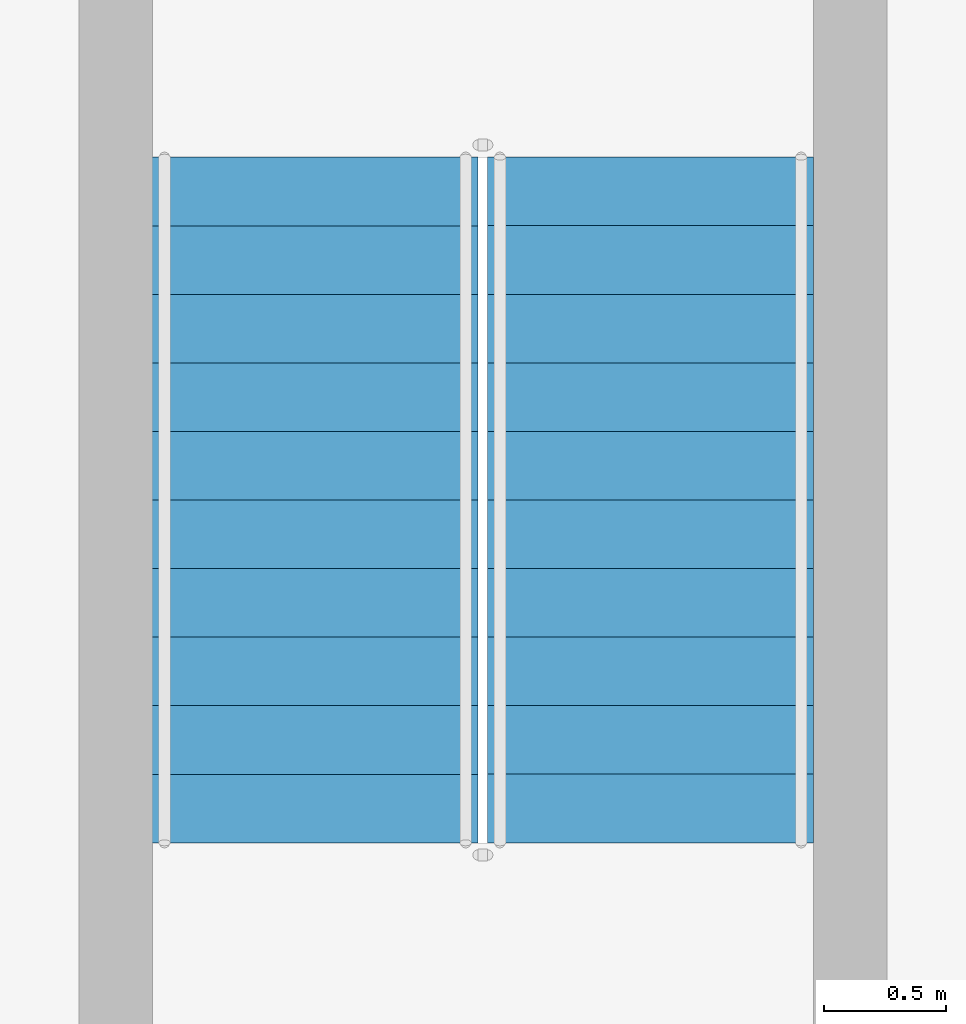
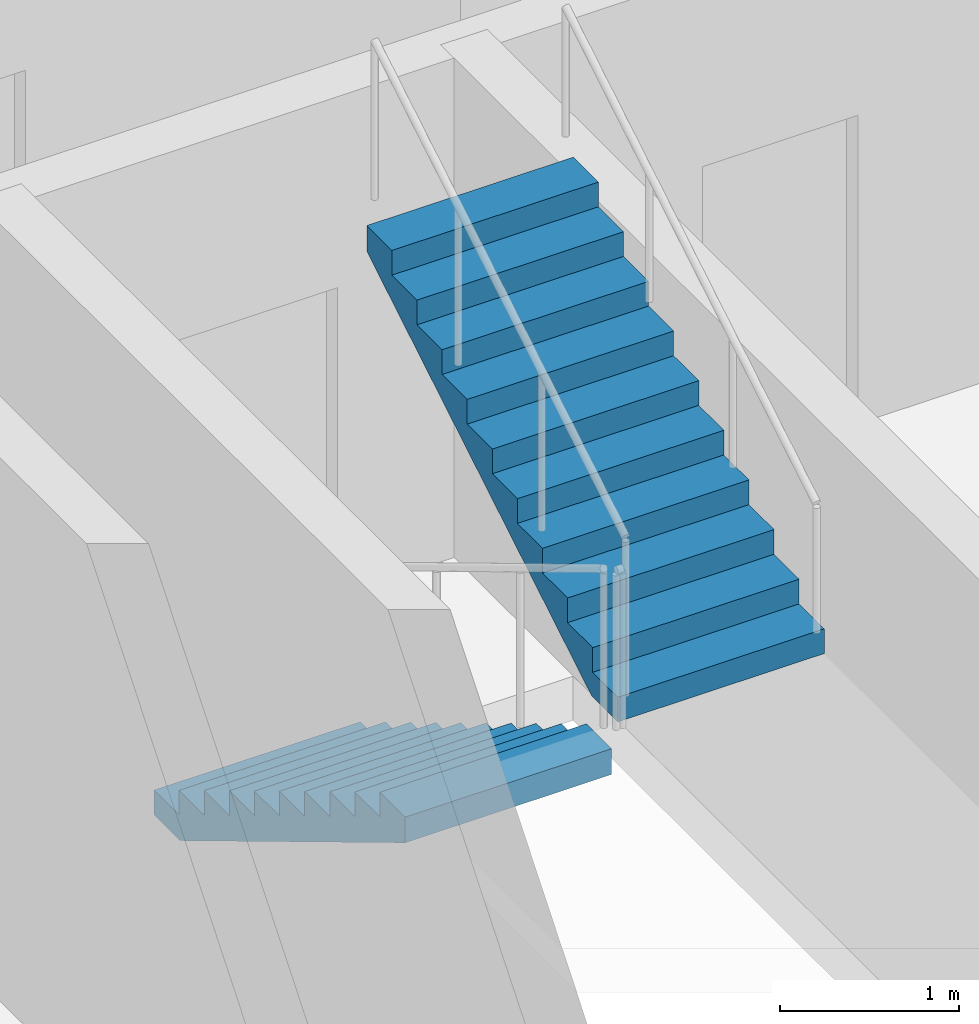
# One storey, part 27 of 35: 2 stair flights, 1 element without a shape of its own.
"""IFC4 building model written with IfcOpenShell, lengths in metres."""

from ifc_helpers import new_model, si_unit, direction, frame, origin, place, context, subcontext, project, spatial, triangles, source, transform, mapped, material, type_object, element, aggregate, save


model = new_model("IFC4")

# Units and contexts
model_context = context("Model", 3, precision=1e-05, world=origin(), true_north=direction((0.0, 1.0)))
body_context = subcontext(model_context, "Body", "Model", "MODEL_VIEW")
ifc_project = project(units=[si_unit("LENGTHUNIT", "METRE"), si_unit("AREAUNIT", "SQUARE_METRE"), si_unit("VOLUMEUNIT", "CUBIC_METRE"), si_unit("PLANEANGLEUNIT", "RADIAN"), si_unit("MASSUNIT", "GRAM", prefix="KILO")], contexts=[model_context])

# Site, building, storey
site_placement = place(None, origin())
site = spatial("IfcSite", under=ifc_project, at=site_placement, CompositionType="ELEMENT")
building_placement = place(site_placement, origin())
building = spatial("IfcBuilding", under=site, at=building_placement, Name="Ogive Portal Towers", CompositionType="ELEMENT")
storey_placement = place(building_placement, frame((0.0, 0.0, 94.5)))
storey = spatial("IfcBuildingStorey", under=building, at=storey_placement, Name="L22", CompositionType="ELEMENT", Elevation=94.5)

# Stair, stair flights
ifc_material = material(Name="Concrete C40/50", Category="concrete")
stair_type = type_object("IfcStairType", Name="INT-STAIR", PredefinedType="HALF_TURN_STAIR", material=ifc_material)
stair_placement = place(storey_placement, origin())
stair = element("IfcStair", 1, at=stair_placement, inside=storey, type_object=stair_type, Name="L22 Exit Stair ST-A4", PredefinedType="HALF_TURN_STAIR")
stair_flight_type = type_object("IfcStairFlightType", Name="INT-FLIGHT", PredefinedType="STRAIGHT", material=ifc_material)
shared_shape = source(origin(), body_context, "Body", "Tessellation", [
    triangles([(0.0, -0.6650390625, 0.0), (0.0, -0.384765625, 0.0), (0.0, -0.197021484375, 0.0), (0.0, -0.0830078125, 0.0), (0.0, -0.024658203125, 0.0), (0.0, -0.003173828125, 0.0), (0.0, 0.0, 0.0), (0.0, 0.003173828125, 0.0), (0.0, 0.024658203125, 0.0), (0.0, 0.0830078125, 0.0), (0.0, 0.197021484375, 0.0), (0.0, 0.384765625, 0.0), (0.0, 0.6650390625, 0.0), (0.0, -0.6650390625, 0.168212890625), (0.0, -0.384765625, 0.168212890625), (0.0, -0.197021484375, 0.168212890625), (0.0, -0.0830078125, 0.168212890625), (0.0, -0.024658203125, 0.168212890625), (0.0, -0.003173828125, 0.168212890625), (0.0, 0.0, 0.168212890625), (0.0, 0.003173828125, 0.168212890625), (0.0, 0.024658203125, 0.168212890625), (0.0, 0.0830078125, 0.168212890625), (0.0, 0.197021484375, 0.168212890625), (0.0, 0.384765625, 0.168212890625), (0.0, 0.6650390625, 0.168212890625), (0.280029296875, -0.6650390625, 0.168212890625), (0.280029296875, -0.384765625, 0.168212890625), (0.280029296875, -0.197021484375, 0.168212890625), (0.280029296875, -0.0830078125, 0.168212890625), (0.280029296875, -0.024658203125, 0.168212890625), (0.280029296875, -0.003173828125, 0.168212890625), (0.280029296875, 0.0, 0.168212890625), (0.280029296875, 0.003173828125, 0.168212890625), (0.280029296875, 0.024658203125, 0.168212890625), (0.280029296875, 0.0830078125, 0.168212890625), (0.280029296875, 0.197021484375, 0.168212890625), (0.280029296875, 0.384765625, 0.168212890625), (0.280029296875, 0.6650390625, 0.168212890625), (0.280029296875, -0.6650390625, 0.33642578125), (0.280029296875, -0.384765625, 0.33642578125), (0.280029296875, -0.197021484375, 0.33642578125), (0.280029296875, -0.0830078125, 0.33642578125), (0.280029296875, -0.024658203125, 0.33642578125), (0.280029296875, -0.003173828125, 0.33642578125), (0.280029296875, 0.0, 0.33642578125), (0.280029296875, 0.003173828125, 0.33642578125), (0.280029296875, 0.024658203125, 0.33642578125), (0.280029296875, 0.0830078125, 0.33642578125), (0.280029296875, 0.197021484375, 0.33642578125), (0.280029296875, 0.384765625, 0.33642578125), (0.280029296875, 0.6650390625, 0.33642578125), (0.56005859375, -0.6650390625, 0.33642578125), (0.56005859375, -0.384765625, 0.33642578125), (0.56005859375, -0.197021484375, 0.33642578125), (0.56005859375, -0.0830078125, 0.33642578125), (0.56005859375, -0.024658203125, 0.33642578125), (0.56005859375, -0.003173828125, 0.33642578125), (0.56005859375, 0.0, 0.33642578125), (0.56005859375, 0.003173828125, 0.33642578125), (0.56005859375, 0.024658203125, 0.33642578125), (0.56005859375, 0.0830078125, 0.33642578125), (0.56005859375, 0.197021484375, 0.33642578125), (0.56005859375, 0.384765625, 0.33642578125), (0.56005859375, 0.6650390625, 0.33642578125), (0.56005859375, -0.6650390625, 0.504638671875), (0.56005859375, -0.384765625, 0.504638671875), (0.56005859375, -0.197021484375, 0.504638671875), (0.56005859375, -0.0830078125, 0.504638671875), (0.56005859375, -0.024658203125, 0.504638671875), (0.56005859375, -0.003173828125, 0.504638671875), (0.56005859375, 0.0, 0.504638671875), (0.56005859375, 0.003173828125, 0.504638671875), (0.56005859375, 0.024658203125, 0.504638671875), (0.56005859375, 0.0830078125, 0.504638671875), (0.56005859375, 0.197021484375, 0.504638671875), (0.56005859375, 0.384765625, 0.504638671875), (0.56005859375, 0.6650390625, 0.504638671875), (0.840087890625, -0.6650390625, 0.504638671875), (0.840087890625, -0.384765625, 0.504638671875), (0.840087890625, -0.197021484375, 0.504638671875), (0.840087890625, -0.0830078125, 0.504638671875), (0.840087890625, -0.024658203125, 0.504638671875), (0.840087890625, -0.003173828125, 0.504638671875), (0.840087890625, 0.0, 0.504638671875), (0.840087890625, 0.003173828125, 0.504638671875), (0.840087890625, 0.024658203125, 0.504638671875), (0.840087890625, 0.0830078125, 0.504638671875), (0.840087890625, 0.197021484375, 0.504638671875), (0.840087890625, 0.384765625, 0.504638671875), (0.840087890625, 0.6650390625, 0.504638671875), (0.840087890625, -0.6650390625, 0.672607421875), (0.840087890625, -0.384765625, 0.672607421875), (0.840087890625, -0.197021484375, 0.672607421875), (0.840087890625, -0.0830078125, 0.672607421875), (0.840087890625, -0.024658203125, 0.672607421875), (0.840087890625, -0.003173828125, 0.672607421875), (0.840087890625, 0.0, 0.672607421875), (0.840087890625, 0.003173828125, 0.672607421875), (0.840087890625, 0.024658203125, 0.672607421875), (0.840087890625, 0.0830078125, 0.672607421875), (0.840087890625, 0.197021484375, 0.672607421875), (0.840087890625, 0.384765625, 0.672607421875), (0.840087890625, 0.6650390625, 0.672607421875), (1.1201171875, -0.6650390625, 0.672607421875), (1.1201171875, -0.384765625, 0.672607421875), (1.1201171875, -0.197021484375, 0.672607421875), (1.1201171875, -0.0830078125, 0.672607421875), (1.1201171875, -0.024658203125, 0.672607421875), (1.1201171875, -0.003173828125, 0.672607421875), (1.1201171875, 0.0, 0.672607421875), (1.1201171875, 0.003173828125, 0.672607421875), (1.1201171875, 0.024658203125, 0.672607421875), (1.1201171875, 0.0830078125, 0.672607421875), (1.1201171875, 0.197021484375, 0.672607421875), (1.1201171875, 0.384765625, 0.672607421875), (1.1201171875, 0.6650390625, 0.672607421875), (1.1201171875, -0.6650390625, 0.8408203125), (1.1201171875, -0.384765625, 0.8408203125), (1.1201171875, -0.197021484375, 0.8408203125), (1.1201171875, -0.0830078125, 0.8408203125), (1.1201171875, -0.024658203125, 0.8408203125), (1.1201171875, -0.003173828125, 0.8408203125), (1.1201171875, 0.0, 0.8408203125), (1.1201171875, 0.003173828125, 0.8408203125), (1.1201171875, 0.024658203125, 0.8408203125), (1.1201171875, 0.0830078125, 0.8408203125), (1.1201171875, 0.197021484375, 0.8408203125), (1.1201171875, 0.384765625, 0.8408203125), (1.1201171875, 0.6650390625, 0.8408203125), (1.39990234375, -0.6650390625, 0.8408203125), (1.39990234375, -0.384765625, 0.8408203125), (1.39990234375, -0.197021484375, 0.8408203125), (1.39990234375, -0.0830078125, 0.8408203125), (1.39990234375, -0.024658203125, 0.8408203125), (1.39990234375, -0.003173828125, 0.8408203125), (1.39990234375, 0.0, 0.8408203125), (1.39990234375, 0.003173828125, 0.8408203125), (1.39990234375, 0.024658203125, 0.8408203125), (1.39990234375, 0.0830078125, 0.8408203125), (1.39990234375, 0.197021484375, 0.8408203125), (1.39990234375, 0.384765625, 0.8408203125), (1.39990234375, 0.6650390625, 0.8408203125), (1.39990234375, -0.6650390625, 1.009033203125), (1.39990234375, -0.384765625, 1.009033203125), (1.39990234375, -0.197021484375, 1.009033203125), (1.39990234375, -0.0830078125, 1.009033203125), (1.39990234375, -0.024658203125, 1.009033203125), (1.39990234375, -0.003173828125, 1.009033203125), (1.39990234375, 0.0, 1.009033203125), (1.39990234375, 0.003173828125, 1.009033203125), (1.39990234375, 0.024658203125, 1.009033203125), (1.39990234375, 0.0830078125, 1.009033203125), (1.39990234375, 0.197021484375, 1.009033203125), (1.39990234375, 0.384765625, 1.009033203125), (1.39990234375, 0.6650390625, 1.009033203125), (1.679931640625, -0.6650390625, 1.009033203125), (1.679931640625, -0.384765625, 1.009033203125), (1.679931640625, -0.197021484375, 1.009033203125), (1.679931640625, -0.0830078125, 1.009033203125), (1.679931640625, -0.024658203125, 1.009033203125), (1.679931640625, -0.003173828125, 1.009033203125), (1.679931640625, 0.0, 1.009033203125), (1.679931640625, 0.003173828125, 1.009033203125), (1.679931640625, 0.024658203125, 1.009033203125), (1.679931640625, 0.0830078125, 1.009033203125), (1.679931640625, 0.197021484375, 1.009033203125), (1.679931640625, 0.384765625, 1.009033203125), (1.679931640625, 0.6650390625, 1.009033203125), (1.679931640625, -0.6650390625, 1.17724609375), (1.679931640625, -0.384765625, 1.17724609375), (1.679931640625, -0.197021484375, 1.17724609375), (1.679931640625, -0.0830078125, 1.17724609375), (1.679931640625, -0.024658203125, 1.17724609375), (1.679931640625, -0.003173828125, 1.17724609375), (1.679931640625, 0.0, 1.17724609375), (1.679931640625, 0.003173828125, 1.17724609375), (1.679931640625, 0.024658203125, 1.17724609375), (1.679931640625, 0.0830078125, 1.17724609375), (1.679931640625, 0.197021484375, 1.17724609375), (1.679931640625, 0.384765625, 1.17724609375), (1.679931640625, 0.6650390625, 1.17724609375), (1.9599609375, -0.6650390625, 1.17724609375), (1.9599609375, -0.384765625, 1.17724609375), (1.9599609375, -0.197021484375, 1.17724609375), (1.9599609375, -0.0830078125, 1.17724609375), (1.9599609375, -0.024658203125, 1.17724609375), (1.9599609375, -0.003173828125, 1.17724609375), (1.9599609375, 0.0, 1.17724609375), (1.9599609375, 0.003173828125, 1.17724609375), (1.9599609375, 0.024658203125, 1.17724609375), (1.9599609375, 0.0830078125, 1.17724609375), (1.9599609375, 0.197021484375, 1.17724609375), (1.9599609375, 0.384765625, 1.17724609375), (1.9599609375, 0.6650390625, 1.17724609375), (1.9599609375, -0.6650390625, 1.345458984375), (1.9599609375, -0.384765625, 1.345458984375), (1.9599609375, -0.197021484375, 1.345458984375), (1.9599609375, -0.0830078125, 1.345458984375), (1.9599609375, -0.024658203125, 1.345458984375), (1.9599609375, -0.003173828125, 1.345458984375), (1.9599609375, 0.0, 1.345458984375), (1.9599609375, 0.003173828125, 1.345458984375), (1.9599609375, 0.024658203125, 1.345458984375), (1.9599609375, 0.0830078125, 1.345458984375), (1.9599609375, 0.197021484375, 1.345458984375), (1.9599609375, 0.384765625, 1.345458984375), (1.9599609375, 0.6650390625, 1.345458984375), (2.239990234375, -0.6650390625, 1.345458984375), (2.239990234375, -0.384765625, 1.345458984375), (2.239990234375, -0.197021484375, 1.345458984375), (2.239990234375, -0.0830078125, 1.345458984375), (2.239990234375, -0.024658203125, 1.345458984375), (2.239990234375, -0.003173828125, 1.345458984375), (2.239990234375, 0.0, 1.345458984375), (2.239990234375, 0.003173828125, 1.345458984375), (2.239990234375, 0.024658203125, 1.345458984375), (2.239990234375, 0.0830078125, 1.345458984375), (2.239990234375, 0.197021484375, 1.345458984375), (2.239990234375, 0.384765625, 1.345458984375), (2.239990234375, 0.6650390625, 1.345458984375), (2.239990234375, -0.6650390625, 1.513671875), (2.239990234375, -0.384765625, 1.513671875), (2.239990234375, -0.197021484375, 1.513671875), (2.239990234375, -0.0830078125, 1.513671875), (2.239990234375, -0.024658203125, 1.513671875), (2.239990234375, -0.003173828125, 1.513671875), (2.239990234375, 0.0, 1.513671875), (2.239990234375, 0.003173828125, 1.513671875), (2.239990234375, 0.024658203125, 1.513671875), (2.239990234375, 0.0830078125, 1.513671875), (2.239990234375, 0.197021484375, 1.513671875), (2.239990234375, 0.384765625, 1.513671875), (2.239990234375, 0.6650390625, 1.513671875), (2.52001953125, -0.6650390625, 1.513671875), (2.52001953125, -0.384765625, 1.513671875), (2.52001953125, -0.197021484375, 1.513671875), (2.52001953125, -0.0830078125, 1.513671875), (2.52001953125, -0.024658203125, 1.513671875), (2.52001953125, -0.003173828125, 1.513671875), (2.52001953125, 0.0, 1.513671875), (2.52001953125, 0.003173828125, 1.513671875), (2.52001953125, 0.024658203125, 1.513671875), (2.52001953125, 0.0830078125, 1.513671875), (2.52001953125, 0.197021484375, 1.513671875), (2.52001953125, 0.384765625, 1.513671875), (2.52001953125, 0.6650390625, 1.513671875), (2.52001953125, -0.6650390625, 1.681884765625), (2.52001953125, -0.384765625, 1.681884765625), (2.52001953125, -0.197021484375, 1.681884765625), (2.52001953125, -0.0830078125, 1.681884765625), (2.52001953125, -0.024658203125, 1.681884765625), (2.52001953125, -0.003173828125, 1.681884765625), (2.52001953125, 0.0, 1.681884765625), (2.52001953125, 0.003173828125, 1.681884765625), (2.52001953125, 0.024658203125, 1.681884765625), (2.52001953125, 0.0830078125, 1.681884765625), (2.52001953125, 0.197021484375, 1.681884765625), (2.52001953125, 0.384765625, 1.681884765625), (2.52001953125, 0.6650390625, 1.681884765625), (2.800048828125, -0.6650390625, 1.681884765625), (2.800048828125, -0.384765625, 1.681884765625), (2.800048828125, -0.197021484375, 1.681884765625), (2.800048828125, -0.0830078125, 1.681884765625), (2.800048828125, -0.024658203125, 1.681884765625), (2.800048828125, -0.003173828125, 1.681884765625), (2.800048828125, 0.0, 1.681884765625), (2.800048828125, 0.003173828125, 1.681884765625), (2.800048828125, 0.024658203125, 1.681884765625), (2.800048828125, 0.0830078125, 1.681884765625), (2.800048828125, 0.197021484375, 1.681884765625), (2.800048828125, 0.384765625, 1.681884765625), (2.800048828125, 0.6650390625, 1.681884765625), (2.800048828125, -0.6650390625, 1.5068359375), (2.800048828125, -0.384765625, 1.5068359375), (2.800048828125, -0.197021484375, 1.5068359375), (2.800048828125, -0.0830078125, 1.5068359375), (2.800048828125, -0.024658203125, 1.5068359375), (2.800048828125, -0.003173828125, 1.5068359375), (2.800048828125, 0.0, 1.5068359375), (2.800048828125, 0.003173828125, 1.5068359375), (2.800048828125, 0.024658203125, 1.5068359375), (2.800048828125, 0.0830078125, 1.5068359375), (2.800048828125, 0.197021484375, 1.5068359375), (2.800048828125, 0.384765625, 1.5068359375), (2.800048828125, 0.6650390625, 1.5068359375), (0.291015625, -0.6650390625, 0.0), (0.291015625, -0.384765625, 0.0), (0.291015625, -0.197021484375, 0.0), (0.291015625, -0.0830078125, 0.0), (0.291015625, -0.024658203125, 0.0), (0.291015625, -0.003173828125, 0.0), (0.291015625, 0.0, 0.0), (0.291015625, 0.003173828125, 0.0), (0.291015625, 0.024658203125, 0.0), (0.291015625, 0.0830078125, 0.0), (0.291015625, 0.197021484375, 0.0), (0.291015625, 0.384765625, 0.0), (0.291015625, 0.6650390625, 0.0)], [[1, 14, 15], [1, 15, 2], [2, 15, 16], [2, 16, 3], [3, 16, 17], [3, 17, 4], [4, 17, 18], [4, 18, 5], [5, 18, 19], [5, 19, 6], [6, 19, 20], [6, 20, 7], [7, 20, 21], [7, 21, 8], [8, 21, 22], [8, 22, 9], [9, 22, 23], [9, 23, 10], [10, 23, 24], [10, 24, 11], [11, 24, 25], [11, 25, 12], [12, 25, 26], [12, 26, 13], [14, 27, 28], [14, 28, 15], [15, 28, 29], [15, 29, 16], [16, 29, 30], [16, 30, 17], [17, 30, 31], [17, 31, 18], [18, 31, 32], [18, 32, 19], [19, 32, 33], [19, 33, 20], [20, 33, 34], [20, 34, 21], [21, 34, 35], [21, 35, 22], [22, 35, 36], [22, 36, 23], [23, 36, 37], [23, 37, 24], [24, 37, 38], [24, 38, 25], [25, 38, 39], [25, 39, 26], [27, 40, 41], [27, 41, 28], [28, 41, 42], [28, 42, 29], [29, 42, 43], [29, 43, 30], [30, 43, 44], [30, 44, 31], [31, 44, 45], [31, 45, 32], [32, 45, 46], [32, 46, 33], [33, 46, 47], [33, 47, 34], [34, 47, 48], [34, 48, 35], [35, 48, 49], [35, 49, 36], [36, 49, 50], [36, 50, 37], [37, 50, 51], [37, 51, 38], [38, 51, 52], [38, 52, 39], [40, 53, 54], [40, 54, 41], [41, 54, 55], [41, 55, 42], [42, 55, 56], [42, 56, 43], [43, 56, 57], [43, 57, 44], [44, 57, 58], [44, 58, 45], [45, 58, 59], [45, 59, 46], [46, 59, 60], [46, 60, 47], [47, 60, 61], [47, 61, 48], [48, 61, 62], [48, 62, 49], [49, 62, 63], [49, 63, 50], [50, 63, 64], [50, 64, 51], [51, 64, 65], [51, 65, 52], [53, 66, 67], [53, 67, 54], [54, 67, 68], [54, 68, 55], [55, 68, 69], [55, 69, 56], [56, 69, 70], [56, 70, 57], [57, 70, 71], [57, 71, 58], [58, 71, 72], [58, 72, 59], [59, 72, 73], [59, 73, 60], [60, 73, 74], [60, 74, 61], [61, 74, 75], [61, 75, 62], [62, 75, 76], [62, 76, 63], [63, 76, 77], [63, 77, 64], [64, 77, 78], [64, 78, 65], [66, 79, 80], [66, 80, 67], [67, 80, 81], [67, 81, 68], [68, 81, 82], [68, 82, 69], [69, 82, 83], [69, 83, 70], [70, 83, 84], [70, 84, 71], [71, 84, 85], [71, 85, 72], [72, 85, 86], [72, 86, 73], [73, 86, 87], [73, 87, 74], [74, 87, 88], [74, 88, 75], [75, 88, 89], [75, 89, 76], [76, 89, 90], [76, 90, 77], [77, 90, 91], [77, 91, 78], [79, 92, 93], [79, 93, 80], [80, 93, 94], [80, 94, 81], [81, 94, 95], [81, 95, 82], [82, 95, 96], [82, 96, 83], [83, 96, 97], [83, 97, 84], [84, 97, 98], [84, 98, 85], [85, 98, 99], [85, 99, 86], [86, 99, 100], [86, 100, 87], [87, 100, 101], [87, 101, 88], [88, 101, 102], [88, 102, 89], [89, 102, 103], [89, 103, 90], [90, 103, 104], [90, 104, 91], [92, 105, 106], [92, 106, 93], [93, 106, 107], [93, 107, 94], [94, 107, 108], [94, 108, 95], [95, 108, 109], [95, 109, 96], [96, 109, 110], [96, 110, 97], [97, 110, 111], [97, 111, 98], [98, 111, 112], [98, 112, 99], [99, 112, 113], [99, 113, 100], [100, 113, 114], [100, 114, 101], [101, 114, 115], [101, 115, 102], [102, 115, 116], [102, 116, 103], [103, 116, 117], [103, 117, 104], [105, 118, 119], [105, 119, 106], [106, 119, 120], [106, 120, 107], [107, 120, 121], [107, 121, 108], [108, 121, 122], [108, 122, 109], [109, 122, 123], [109, 123, 110], [110, 123, 124], [110, 124, 111], [111, 124, 125], [111, 125, 112], [112, 125, 126], [112, 126, 113], [113, 126, 127], [113, 127, 114], [114, 127, 128], [114, 128, 115], [115, 128, 129], [115, 129, 116], [116, 129, 130], [116, 130, 117], [118, 131, 132], [118, 132, 119], [119, 132, 133], [119, 133, 120], [120, 133, 134], [120, 134, 121], [121, 134, 135], [121, 135, 122], [122, 135, 136], [122, 136, 123], [123, 136, 137], [123, 137, 124], [124, 137, 138], [124, 138, 125], [125, 138, 139], [125, 139, 126], [126, 139, 140], [126, 140, 127], [127, 140, 141], [127, 141, 128], [128, 141, 142], [128, 142, 129], [129, 142, 143], [129, 143, 130], [131, 144, 145], [131, 145, 132], [132, 145, 146], [132, 146, 133], [133, 146, 147], [133, 147, 134], [134, 147, 148], [134, 148, 135], [135, 148, 149], [135, 149, 136], [136, 149, 150], [136, 150, 137], [137, 150, 151], [137, 151, 138], [138, 151, 152], [138, 152, 139], [139, 152, 153], [139, 153, 140], [140, 153, 154], [140, 154, 141], [141, 154, 155], [141, 155, 142], [142, 155, 156], [142, 156, 143], [144, 157, 158], [144, 158, 145], [145, 158, 159], [145, 159, 146], [146, 159, 160], [146, 160, 147], [147, 160, 161], [147, 161, 148], [148, 161, 162], [148, 162, 149], [149, 162, 163], [149, 163, 150], [150, 163, 164], [150, 164, 151], [151, 164, 165], [151, 165, 152], [152, 165, 166], [152, 166, 153], [153, 166, 167], [153, 167, 154], [154, 167, 168], [154, 168, 155], [155, 168, 169], [155, 169, 156], [157, 170, 171], [157, 171, 158], [158, 171, 172], [158, 172, 159], [159, 172, 173], [159, 173, 160], [160, 173, 174], [160, 174, 161], [161, 174, 175], [161, 175, 162], [162, 175, 176], [162, 176, 163], [163, 176, 177], [163, 177, 164], [164, 177, 178], [164, 178, 165], [165, 178, 179], [165, 179, 166], [166, 179, 180], [166, 180, 167], [167, 180, 181], [167, 181, 168], [168, 181, 182], [168, 182, 169], [170, 183, 184], [170, 184, 171], [171, 184, 185], [171, 185, 172], [172, 185, 186], [172, 186, 173], [173, 186, 187], [173, 187, 174], [174, 187, 188], [174, 188, 175], [175, 188, 189], [175, 189, 176], [176, 189, 190], [176, 190, 177], [177, 190, 191], [177, 191, 178], [178, 191, 192], [178, 192, 179], [179, 192, 193], [179, 193, 180], [180, 193, 194], [180, 194, 181], [181, 194, 195], [181, 195, 182], [183, 196, 197], [183, 197, 184], [184, 197, 198], [184, 198, 185], [185, 198, 199], [185, 199, 186], [186, 199, 200], [186, 200, 187], [187, 200, 201], [187, 201, 188], [188, 201, 202], [188, 202, 189], [189, 202, 203], [189, 203, 190], [190, 203, 204], [190, 204, 191], [191, 204, 205], [191, 205, 192], [192, 205, 206], [192, 206, 193], [193, 206, 207], [193, 207, 194], [194, 207, 208], [194, 208, 195], [196, 209, 210], [196, 210, 197], [197, 210, 211], [197, 211, 198], [198, 211, 212], [198, 212, 199], [199, 212, 213], [199, 213, 200], [200, 213, 214], [200, 214, 201], [201, 214, 215], [201, 215, 202], [202, 215, 216], [202, 216, 203], [203, 216, 217], [203, 217, 204], [204, 217, 218], [204, 218, 205], [205, 218, 219], [205, 219, 206], [206, 219, 220], [206, 220, 207], [207, 220, 221], [207, 221, 208], [209, 222, 223], [209, 223, 210], [210, 223, 224], [210, 224, 211], [211, 224, 225], [211, 225, 212], [212, 225, 226], [212, 226, 213], [213, 226, 227], [213, 227, 214], [214, 227, 228], [214, 228, 215], [215, 228, 229], [215, 229, 216], [216, 229, 230], [216, 230, 217], [217, 230, 231], [217, 231, 218], [218, 231, 232], [218, 232, 219], [219, 232, 233], [219, 233, 220], [220, 233, 234], [220, 234, 221], [222, 235, 236], [222, 236, 223], [223, 236, 237], [223, 237, 224], [224, 237, 238], [224, 238, 225], [225, 238, 239], [225, 239, 226], [226, 239, 240], [226, 240, 227], [227, 240, 241], [227, 241, 228], [228, 241, 242], [228, 242, 229], [229, 242, 243], [229, 243, 230], [230, 243, 244], [230, 244, 231], [231, 244, 245], [231, 245, 232], [232, 245, 246], [232, 246, 233], [233, 246, 247], [233, 247, 234], [235, 248, 249], [235, 249, 236], [236, 249, 250], [236, 250, 237], [237, 250, 251], [237, 251, 238], [238, 251, 252], [238, 252, 239], [239, 252, 253], [239, 253, 240], [240, 253, 254], [240, 254, 241], [241, 254, 255], [241, 255, 242], [242, 255, 256], [242, 256, 243], [243, 256, 257], [243, 257, 244], [244, 257, 258], [244, 258, 245], [245, 258, 259], [245, 259, 246], [246, 259, 260], [246, 260, 247], [248, 261, 262], [248, 262, 249], [249, 262, 263], [249, 263, 250], [250, 263, 264], [250, 264, 251], [251, 264, 265], [251, 265, 252], [252, 265, 266], [252, 266, 253], [253, 266, 267], [253, 267, 254], [254, 267, 268], [254, 268, 255], [255, 268, 269], [255, 269, 256], [256, 269, 270], [256, 270, 257], [257, 270, 271], [257, 271, 258], [258, 271, 272], [258, 272, 259], [259, 272, 273], [259, 273, 260], [261, 274, 275], [261, 275, 262], [262, 275, 276], [262, 276, 263], [263, 276, 277], [263, 277, 264], [264, 277, 278], [264, 278, 265], [265, 278, 279], [265, 279, 266], [266, 279, 280], [266, 280, 267], [267, 280, 281], [267, 281, 268], [268, 281, 282], [268, 282, 269], [269, 282, 283], [269, 283, 270], [270, 283, 284], [270, 284, 271], [271, 284, 285], [271, 285, 272], [272, 285, 286], [272, 286, 273], [274, 287, 288], [274, 288, 275], [275, 288, 289], [275, 289, 276], [276, 289, 290], [276, 290, 277], [277, 290, 291], [277, 291, 278], [278, 291, 292], [278, 292, 279], [279, 292, 293], [279, 293, 280], [280, 293, 294], [280, 294, 281], [281, 294, 295], [281, 295, 282], [282, 295, 296], [282, 296, 283], [283, 296, 297], [283, 297, 284], [284, 297, 298], [284, 298, 285], [285, 298, 299], [285, 299, 286], [287, 1, 2], [287, 2, 288], [288, 2, 3], [288, 3, 289], [289, 3, 4], [289, 4, 290], [290, 4, 5], [290, 5, 291], [291, 5, 6], [291, 6, 292], [292, 6, 7], [292, 7, 293], [293, 7, 8], [293, 8, 294], [294, 8, 9], [294, 9, 295], [295, 9, 10], [295, 10, 296], [296, 10, 11], [296, 11, 297], [297, 11, 12], [297, 12, 298], [298, 12, 13], [298, 13, 299], [1, 287, 274], [13, 286, 299], [274, 261, 248], [286, 260, 273], [274, 248, 235], [286, 247, 260], [274, 235, 222], [286, 234, 247], [274, 222, 209], [286, 221, 234], [209, 196, 183], [221, 195, 208], [274, 209, 183], [286, 195, 221], [183, 170, 157], [195, 169, 182], [274, 183, 157], [286, 169, 195], [157, 144, 131], [169, 143, 156], [274, 157, 131], [286, 143, 169], [131, 118, 105], [143, 117, 130], [274, 131, 105], [286, 117, 143], [1, 274, 105], [13, 117, 286], [105, 92, 79], [117, 91, 104], [79, 66, 53], [91, 65, 78], [105, 79, 53], [117, 65, 91], [53, 40, 27], [65, 39, 52], [105, 53, 27], [117, 39, 65], [1, 105, 27], [13, 39, 117], [27, 14, 1], [39, 13, 26]], closed=True),
])
stair_flight_1_placement = place(storey_placement, frame((87.6650390625, 29.169921875, 0.0), z_axis=(0.0, 0.0, 1.0), x_axis=(0.0, -1.0, 0.0)))
stair_flight_1 = element("IfcStairFlight", 2, at=stair_flight_1_placement, type_object=stair_flight_type, Name="ST-A4 flight 1", NumberOfRisers=11, NumberOfTreads=10, PredefinedType="STRAIGHT", RiserHeight=0.168181818, TreadLength=0.28, context=body_context, shape_type="MappedRepresentation", body=[
    mapped(shared_shape, transform((0.0, 0.0, 0.0), scale=1.0)),
])
stair_flight_2_placement = place(storey_placement, frame((89.034912109375, 26.3701171875, 1.85009765625), z_axis=(0.0, 0.0, 1.0), x_axis=(0.0, 1.0, 0.0)))
stair_flight_2 = element("IfcStairFlight", 3, at=stair_flight_2_placement, type_object=stair_flight_type, Name="ST-A4 flight 2", NumberOfRisers=11, NumberOfTreads=10, PredefinedType="STRAIGHT", RiserHeight=0.168181818, TreadLength=0.28, context=body_context, shape_type="MappedRepresentation", body=[
    mapped(shared_shape, transform((0.0, 0.0, 0.0), scale=1.0)),
])
aggregate(stair, [stair_flight_1, stair_flight_2])

save(model, "model.ifc")
